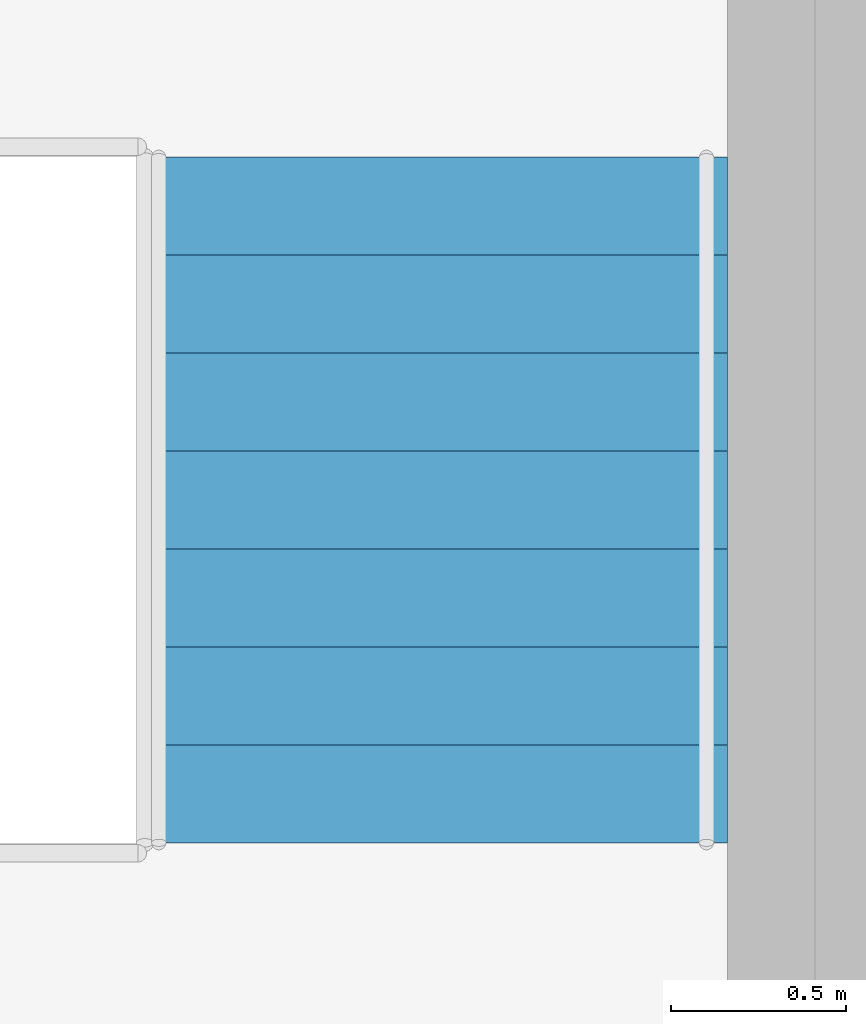
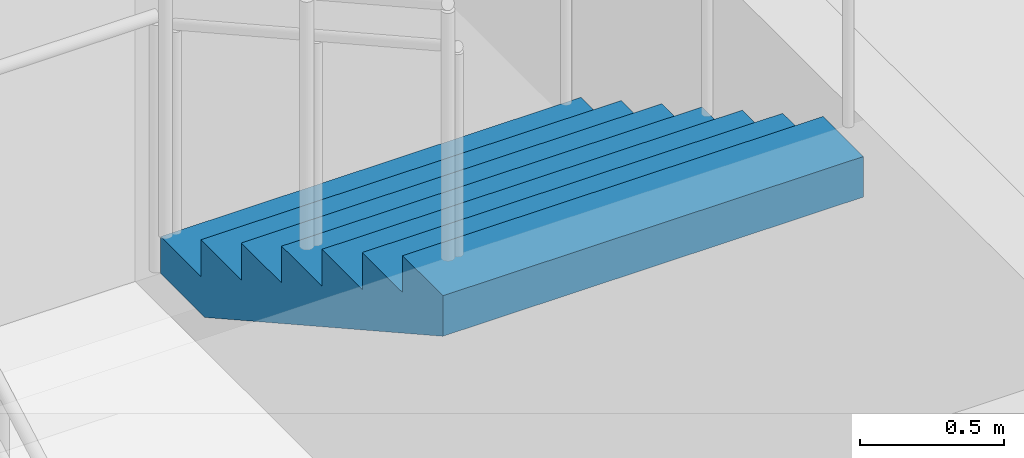
# One storey, part 31 of 37: 1 stair flight, 1 element without a shape of its own.
"""IFC4 building model written with IfcOpenShell, lengths in metres."""

from ifc_helpers import new_model, si_unit, direction, frame, origin, place, context, subcontext, project, spatial, triangles, material, type_object, element, aggregate, save


model = new_model("IFC4")

# Units and contexts
model_context = context("Model", 3, precision=1e-05, world=origin(), true_north=direction((0.0, 1.0)))
body_context = subcontext(model_context, "Body", "Model", "MODEL_VIEW")
ifc_project = project(units=[si_unit("LENGTHUNIT", "METRE"), si_unit("AREAUNIT", "SQUARE_METRE"), si_unit("VOLUMEUNIT", "CUBIC_METRE"), si_unit("PLANEANGLEUNIT", "RADIAN"), si_unit("MASSUNIT", "GRAM", prefix="KILO")], contexts=[model_context])

# Site, building, storey
site_placement = place(None, origin())
site = spatial("IfcSite", under=ifc_project, at=site_placement, CompositionType="ELEMENT")
building_placement = place(site_placement, origin())
building = spatial("IfcBuilding", under=site, at=building_placement, Name="Orbita Commons", CompositionType="ELEMENT")
storey_placement = place(building_placement, frame((0.0, 0.0, 6.0)))
storey = spatial("IfcBuildingStorey", under=building, at=storey_placement, Name="L01", CompositionType="ELEMENT", Elevation=6.0)

# Stair, stair flight
ifc_material_1 = material(Name="Precast concrete C40/50", Category="concrete")
stair_type = type_object("IfcStairType", Name="Podium exit stair 4 flights 8 risers 156", PredefinedType="HALF_TURN_STAIR", material=ifc_material_1)
stair_placement = place(storey_placement, origin())
stair = element("IfcStair", 1, at=stair_placement, inside=storey, type_object=stair_type, Name="Podium exit stair PS1 L01", PredefinedType="HALF_TURN_STAIR")
ifc_material_2 = material(Name="Precast concrete C40/50", Category="concrete")
stair_flight_type = type_object("IfcStairFlightType", Name="Podium stair flight 8 risers 156 x 1685", PredefinedType="STRAIGHT", material=ifc_material_2)
stair_flight_placement = place(storey_placement, frame((10.4326171875, 31.780029296875, 3.75), z_axis=(0.0, 0.0, 1.0), x_axis=(0.0, -1.0, 0.0)))
stair_flight = element("IfcStairFlight", 2, at=stair_flight_placement, type_object=stair_flight_type, Name="PS1 flight 4", NumberOfRisers=8, NumberOfTreads=7, PredefinedType="STRAIGHT", RiserHeight=0.15625, TreadLength=0.28, context=body_context, shape_type="Tessellation", body=[
    triangles([(0.0, 0.842529, 0.0), (0.0, 0.842529, 0.019531), (0.0, 0.702108, 0.019531), (0.0, 0.702108, 0.0), (0.0, 0.561686, 0.019531), (0.0, 0.561686, 0.0), (0.0, 0.421265, 0.019531), (0.0, 0.421265, 0.0), (0.0, 0.280843, 0.019531), (0.0, 0.280843, 0.0), (0.0, 0.140422, 0.019531), (0.0, 0.140422, 0.0), (0.0, 0.0, 0.019531), (0.0, 0.0, 0.0), (0.0, -0.140422, 0.019531), (0.0, -0.140422, 0.0), (0.0, -0.280843, 0.019531), (0.0, -0.280843, 0.0), (0.0, -0.421265, 0.019531), (0.0, -0.421265, 0.0), (0.0, -0.561686, 0.019531), (0.0, -0.561686, 0.0), (0.0, -0.702108, 0.019531), (0.0, -0.702108, 0.0), (0.0, -0.842529, 0.019531), (0.0, -0.842529, 0.0), (0.0, 0.842529, 0.039062), (0.0, 0.702108, 0.039062), (0.0, 0.561686, 0.039062), (0.0, 0.421265, 0.039062), (0.0, 0.280843, 0.039062), (0.0, 0.140422, 0.039062), (0.0, 0.0, 0.039062), (0.0, -0.140422, 0.039062), (0.0, -0.280843, 0.039062), (0.0, -0.421265, 0.039062), (0.0, -0.561686, 0.039062), (0.0, -0.702108, 0.039062), (0.0, -0.842529, 0.039062), (0.0, 0.842529, 0.058594), (0.0, 0.702108, 0.058594), (0.0, 0.561686, 0.058594), (0.0, 0.421265, 0.058594), (0.0, 0.280843, 0.058594), (0.0, 0.140422, 0.058594), (0.0, 0.0, 0.058594), (0.0, -0.140422, 0.058594), (0.0, -0.280843, 0.058594), (0.0, -0.421265, 0.058594), (0.0, -0.561686, 0.058594), (0.0, -0.702108, 0.058594), (0.0, -0.842529, 0.058594), (0.0, 0.842529, 0.078125), (0.0, 0.702108, 0.078125), (0.0, 0.561686, 0.078125), (0.0, 0.421265, 0.078125), (0.0, 0.280843, 0.078125), (0.0, 0.140422, 0.078125), (0.0, 0.0, 0.078125), (0.0, -0.140422, 0.078125), (0.0, -0.280843, 0.078125), (0.0, -0.421265, 0.078125), (0.0, -0.561686, 0.078125), (0.0, -0.702108, 0.078125), (0.0, -0.842529, 0.078125), (0.0, 0.842529, 0.097656), (0.0, 0.702108, 0.097656), (0.0, 0.561686, 0.097656), (0.0, 0.421265, 0.097656), (0.0, 0.280843, 0.097656), (0.0, 0.140422, 0.097656), (0.0, 0.0, 0.097656), (0.0, -0.140422, 0.097656), (0.0, -0.280843, 0.097656), (0.0, -0.421265, 0.097656), (0.0, -0.561686, 0.097656), (0.0, -0.702108, 0.097656), (0.0, -0.842529, 0.097656), (0.0, 0.842529, 0.117188), (0.0, 0.702108, 0.117188), (0.0, 0.561686, 0.117188), (0.0, 0.421265, 0.117188), (0.0, 0.280843, 0.117188), (0.0, 0.140422, 0.117188), (0.0, 0.0, 0.117188), (0.0, -0.140422, 0.117188), (0.0, -0.280843, 0.117188), (0.0, -0.421265, 0.117188), (0.0, -0.561686, 0.117188), (0.0, -0.702108, 0.117188), (0.0, -0.842529, 0.117188), (0.0, 0.842529, 0.136719), (0.0, 0.702108, 0.136719), (0.0, 0.561686, 0.136719), (0.0, 0.421265, 0.136719), (0.0, 0.280843, 0.136719), (0.0, 0.140422, 0.136719), (0.0, 0.0, 0.136719), (0.0, -0.140422, 0.136719), (0.0, -0.280843, 0.136719), (0.0, -0.421265, 0.136719), (0.0, -0.561686, 0.136719), (0.0, -0.702108, 0.136719), (0.0, -0.842529, 0.136719), (0.0, 0.842529, 0.15625), (0.0, 0.702108, 0.15625), (0.0, 0.561686, 0.15625), (0.0, 0.421265, 0.15625), (0.0, 0.280843, 0.15625), (0.0, 0.140422, 0.15625), (0.0, 0.0, 0.15625), (0.0, -0.140422, 0.15625), (0.0, -0.280843, 0.15625), (0.0, -0.421265, 0.15625), (0.0, -0.561686, 0.15625), (0.0, -0.702108, 0.15625), (0.0, -0.842529, 0.15625), (0.28, 0.842529, 0.15625), (0.28, 0.702108, 0.15625), (0.28, 0.561686, 0.15625), (0.28, 0.421265, 0.15625), (0.28, 0.280843, 0.15625), (0.28, 0.140422, 0.15625), (0.28, 0.0, 0.15625), (0.28, -0.140422, 0.15625), (0.28, -0.280843, 0.15625), (0.28, -0.421265, 0.15625), (0.28, -0.561686, 0.15625), (0.28, -0.702108, 0.15625), (0.28, -0.842529, 0.15625), (0.28, 0.842529, 0.3125), (0.28, 0.702108, 0.3125), (0.28, 0.561686, 0.3125), (0.28, 0.421265, 0.3125), (0.28, 0.280843, 0.3125), (0.28, 0.140422, 0.3125), (0.28, 0.0, 0.3125), (0.28, -0.140422, 0.3125), (0.28, -0.280843, 0.3125), (0.28, -0.421265, 0.3125), (0.28, -0.561686, 0.3125), (0.28, -0.702108, 0.3125), (0.28, -0.842529, 0.3125), (0.56, 0.842529, 0.3125), (0.56, 0.702108, 0.3125), (0.56, 0.561686, 0.3125), (0.56, 0.421265, 0.3125), (0.56, 0.280843, 0.3125), (0.56, 0.140422, 0.3125), (0.56, 0.0, 0.3125), (0.56, -0.140422, 0.3125), (0.56, -0.280843, 0.3125), (0.56, -0.421265, 0.3125), (0.56, -0.561686, 0.3125), (0.56, -0.702108, 0.3125), (0.56, -0.842529, 0.3125), (0.56, 0.842529, 0.46875), (0.56, 0.702108, 0.46875), (0.56, 0.561686, 0.46875), (0.56, 0.421265, 0.46875), (0.56, 0.280843, 0.46875), (0.56, 0.140422, 0.46875), (0.56, 0.0, 0.46875), (0.56, -0.140422, 0.46875), (0.56, -0.280843, 0.46875), (0.56, -0.421265, 0.46875), (0.56, -0.561686, 0.46875), (0.56, -0.702108, 0.46875), (0.56, -0.842529, 0.46875), (0.84, 0.842529, 0.46875), (0.84, 0.702108, 0.46875), (0.84, 0.561686, 0.46875), (0.84, 0.421265, 0.46875), (0.84, 0.280843, 0.46875), (0.84, 0.140422, 0.46875), (0.84, 0.0, 0.46875), (0.84, -0.140422, 0.46875), (0.84, -0.280843, 0.46875), (0.84, -0.421265, 0.46875), (0.84, -0.561686, 0.46875), (0.84, -0.702108, 0.46875), (0.84, -0.842529, 0.46875), (0.84, 0.842529, 0.625), (0.84, 0.702108, 0.625), (0.84, 0.561686, 0.625), (0.84, 0.421265, 0.625), (0.84, 0.280843, 0.625), (0.84, 0.140422, 0.625), (0.84, 0.0, 0.625), (0.84, -0.140422, 0.625), (0.84, -0.280843, 0.625), (0.84, -0.421265, 0.625), (0.84, -0.561686, 0.625), (0.84, -0.702108, 0.625), (0.84, -0.842529, 0.625), (1.12, 0.842529, 0.625), (1.12, 0.702108, 0.625), (1.12, 0.561686, 0.625), (1.12, 0.421265, 0.625), (1.12, 0.280843, 0.625), (1.12, 0.140422, 0.625), (1.12, 0.0, 0.625), (1.12, -0.140422, 0.625), (1.12, -0.280843, 0.625), (1.12, -0.421265, 0.625), (1.12, -0.561686, 0.625), (1.12, -0.702108, 0.625), (1.12, -0.842529, 0.625), (1.12, 0.842529, 0.78125), (1.12, 0.702108, 0.78125), (1.12, 0.561686, 0.78125), (1.12, 0.421265, 0.78125), (1.12, 0.280843, 0.78125), (1.12, 0.140422, 0.78125), (1.12, 0.0, 0.78125), (1.12, -0.140422, 0.78125), (1.12, -0.280843, 0.78125), (1.12, -0.421265, 0.78125), (1.12, -0.561686, 0.78125), (1.12, -0.702108, 0.78125), (1.12, -0.842529, 0.78125), (1.4, 0.842529, 0.78125), (1.4, 0.702108, 0.78125), (1.4, 0.561686, 0.78125), (1.4, 0.421265, 0.78125), (1.4, 0.280843, 0.78125), (1.4, 0.140422, 0.78125), (1.4, 0.0, 0.78125), (1.4, -0.140422, 0.78125), (1.4, -0.280843, 0.78125), (1.4, -0.421265, 0.78125), (1.4, -0.561686, 0.78125), (1.4, -0.702108, 0.78125), (1.4, -0.842529, 0.78125), (1.4, 0.842529, 0.9375), (1.4, 0.702108, 0.9375), (1.4, 0.561686, 0.9375), (1.4, 0.421265, 0.9375), (1.4, 0.280843, 0.9375), (1.4, 0.140422, 0.9375), (1.4, 0.0, 0.9375), (1.4, -0.140422, 0.9375), (1.4, -0.280843, 0.9375), (1.4, -0.421265, 0.9375), (1.4, -0.561686, 0.9375), (1.4, -0.702108, 0.9375), (1.4, -0.842529, 0.9375), (1.68, 0.842529, 0.9375), (1.68, 0.702108, 0.9375), (1.68, 0.561686, 0.9375), (1.68, 0.421265, 0.9375), (1.68, 0.280843, 0.9375), (1.68, 0.140422, 0.9375), (1.68, 0.0, 0.9375), (1.68, -0.140422, 0.9375), (1.68, -0.280843, 0.9375), (1.68, -0.421265, 0.9375), (1.68, -0.561686, 0.9375), (1.68, -0.702108, 0.9375), (1.68, -0.842529, 0.9375), (1.68, 0.842529, 1.09375), (1.68, 0.702108, 1.09375), (1.68, 0.561686, 1.09375), (1.68, 0.421265, 1.09375), (1.68, 0.280843, 1.09375), (1.68, 0.140422, 1.09375), (1.68, 0.0, 1.09375), (1.68, -0.140422, 1.09375), (1.68, -0.280843, 1.09375), (1.68, -0.421265, 1.09375), (1.68, -0.561686, 1.09375), (1.68, -0.702108, 1.09375), (1.68, -0.842529, 1.09375), (1.96, 0.842529, 1.09375), (1.96, 0.702108, 1.09375), (1.96, 0.561686, 1.09375), (1.96, 0.421265, 1.09375), (1.96, 0.280843, 1.09375), (1.96, 0.140422, 1.09375), (1.96, 0.0, 1.09375), (1.96, -0.140422, 1.09375), (1.96, -0.280843, 1.09375), (1.96, -0.421265, 1.09375), (1.96, -0.561686, 1.09375), (1.96, -0.702108, 1.09375), (1.96, -0.842529, 1.09375), (1.96, 0.842529, 1.072292), (1.96, 0.702108, 1.072292), (1.96, 0.561686, 1.072292), (1.96, 0.421265, 1.072292), (1.96, 0.280843, 1.072292), (1.96, 0.140422, 1.072292), (1.96, 0.0, 1.072292), (1.96, -0.140422, 1.072292), (1.96, -0.280843, 1.072292), (1.96, -0.421265, 1.072292), (1.96, -0.561686, 1.072292), (1.96, -0.702108, 1.072292), (1.96, -0.842529, 1.072292), (1.96, 0.842529, 1.050834), (1.96, 0.702108, 1.050834), (1.96, 0.561686, 1.050834), (1.96, 0.421265, 1.050834), (1.96, 0.280843, 1.050834), (1.96, 0.140422, 1.050834), (1.96, 0.0, 1.050834), (1.96, -0.140422, 1.050834), (1.96, -0.280843, 1.050834), (1.96, -0.421265, 1.050834), (1.96, -0.561686, 1.050834), (1.96, -0.702108, 1.050834), (1.96, -0.842529, 1.050834), (1.96, 0.842529, 1.029376), (1.96, 0.702108, 1.029376), (1.96, 0.561686, 1.029376), (1.96, 0.421265, 1.029376), (1.96, 0.280843, 1.029376), (1.96, 0.140422, 1.029376), (1.96, 0.0, 1.029376), (1.96, -0.140422, 1.029376), (1.96, -0.280843, 1.029376), (1.96, -0.421265, 1.029376), (1.96, -0.561686, 1.029376), (1.96, -0.702108, 1.029376), (1.96, -0.842529, 1.029376), (1.96, 0.842529, 1.007919), (1.96, 0.702108, 1.007919), (1.96, 0.561686, 1.007919), (1.96, 0.421265, 1.007919), (1.96, 0.280843, 1.007919), (1.96, 0.140422, 1.007919), (1.96, 0.0, 1.007919), (1.96, -0.140422, 1.007919), (1.96, -0.280843, 1.007919), (1.96, -0.421265, 1.007919), (1.96, -0.561686, 1.007919), (1.96, -0.702108, 1.007919), (1.96, -0.842529, 1.007919), (1.96, 0.842529, 0.986461), (1.96, 0.702108, 0.986461), (1.96, 0.561686, 0.986461), (1.96, 0.421265, 0.986461), (1.96, 0.280843, 0.986461), (1.96, 0.140422, 0.986461), (1.96, 0.0, 0.986461), (1.96, -0.140422, 0.986461), (1.96, -0.280843, 0.986461), (1.96, -0.421265, 0.986461), (1.96, -0.561686, 0.986461), (1.96, -0.702108, 0.986461), (1.96, -0.842529, 0.986461), (1.96, 0.842529, 0.965003), (1.96, 0.702108, 0.965003), (1.96, 0.561686, 0.965003), (1.96, 0.421265, 0.965003), (1.96, 0.280843, 0.965003), (1.96, 0.140422, 0.965003), (1.96, 0.0, 0.965003), (1.96, -0.140422, 0.965003), (1.96, -0.280843, 0.965003), (1.96, -0.421265, 0.965003), (1.96, -0.561686, 0.965003), (1.96, -0.702108, 0.965003), (1.96, -0.842529, 0.965003), (1.96, 0.842529, 0.943545), (1.96, 0.702108, 0.943545), (1.96, 0.561686, 0.943545), (1.96, 0.421265, 0.943545), (1.96, 0.280843, 0.943545), (1.96, 0.140422, 0.943545), (1.96, 0.0, 0.943545), (1.96, -0.140422, 0.943545), (1.96, -0.280843, 0.943545), (1.96, -0.421265, 0.943545), (1.96, -0.561686, 0.943545), (1.96, -0.702108, 0.943545), (1.96, -0.842529, 0.943545), (1.96, 0.842529, 0.922087), (1.96, 0.702108, 0.922087), (1.96, 0.561686, 0.922087), (1.96, 0.421265, 0.922087), (1.96, 0.280843, 0.922087), (1.96, 0.140422, 0.922087), (1.96, 0.0, 0.922087), (1.96, -0.140422, 0.922087), (1.96, -0.280843, 0.922087), (1.96, -0.421265, 0.922087), (1.96, -0.561686, 0.922087), (1.96, -0.702108, 0.922087), (1.96, -0.842529, 0.922087), (0.30762, 0.842529, 0.0), (0.30762, 0.702108, 0.0), (0.30762, 0.561686, 0.0), (0.30762, 0.421265, 0.0), (0.30762, 0.280843, 0.0), (0.30762, 0.140422, 0.0), (0.30762, 0.0, 0.0), (0.30762, -0.140422, 0.0), (0.30762, -0.280843, 0.0), (0.30762, -0.421265, 0.0), (0.30762, -0.561686, 0.0), (0.30762, -0.702108, 0.0), (0.30762, -0.842529, 0.0)], [[3, 2, 1], [4, 3, 1], [5, 3, 4], [6, 5, 4], [7, 5, 6], [8, 7, 6], [9, 7, 8], [10, 9, 8], [11, 9, 10], [12, 11, 10], [13, 11, 12], [14, 13, 12], [15, 13, 14], [16, 15, 14], [17, 15, 16], [18, 17, 16], [19, 17, 18], [20, 19, 18], [21, 19, 20], [22, 21, 20], [23, 21, 22], [24, 23, 22], [25, 23, 24], [26, 25, 24], [28, 27, 2], [3, 28, 2], [29, 28, 3], [5, 29, 3], [30, 29, 5], [7, 30, 5], [31, 30, 7], [9, 31, 7], [32, 31, 9], [11, 32, 9], [33, 32, 11], [13, 33, 11], [34, 33, 13], [15, 34, 13], [35, 34, 15], [17, 35, 15], [36, 35, 17], [19, 36, 17], [37, 36, 19], [21, 37, 19], [38, 37, 21], [23, 38, 21], [39, 38, 23], [25, 39, 23], [41, 40, 27], [28, 41, 27], [42, 41, 28], [29, 42, 28], [43, 42, 29], [30, 43, 29], [44, 43, 30], [31, 44, 30], [45, 44, 31], [32, 45, 31], [46, 45, 32], [33, 46, 32], [47, 46, 33], [34, 47, 33], [48, 47, 34], [35, 48, 34], [49, 48, 35], [36, 49, 35], [50, 49, 36], [37, 50, 36], [51, 50, 37], [38, 51, 37], [52, 51, 38], [39, 52, 38], [54, 53, 40], [41, 54, 40], [55, 54, 41], [42, 55, 41], [56, 55, 42], [43, 56, 42], [57, 56, 43], [44, 57, 43], [58, 57, 44], [45, 58, 44], [59, 58, 45], [46, 59, 45], [60, 59, 46], [47, 60, 46], [61, 60, 47], [48, 61, 47], [62, 61, 48], [49, 62, 48], [63, 62, 49], [50, 63, 49], [64, 63, 50], [51, 64, 50], [65, 64, 51], [52, 65, 51], [67, 66, 53], [54, 67, 53], [68, 67, 54], [55, 68, 54], [69, 68, 55], [56, 69, 55], [70, 69, 56], [57, 70, 56], [71, 70, 57], [58, 71, 57], [72, 71, 58], [59, 72, 58], [73, 72, 59], [60, 73, 59], [74, 73, 60], [61, 74, 60], [75, 74, 61], [62, 75, 61], [76, 75, 62], [63, 76, 62], [77, 76, 63], [64, 77, 63], [78, 77, 64], [65, 78, 64], [80, 79, 66], [67, 80, 66], [81, 80, 67], [68, 81, 67], [82, 81, 68], [69, 82, 68], [83, 82, 69], [70, 83, 69], [84, 83, 70], [71, 84, 70], [85, 84, 71], [72, 85, 71], [86, 85, 72], [73, 86, 72], [87, 86, 73], [74, 87, 73], [88, 87, 74], [75, 88, 74], [89, 88, 75], [76, 89, 75], [90, 89, 76], [77, 90, 76], [91, 90, 77], [78, 91, 77], [93, 92, 79], [80, 93, 79], [94, 93, 80], [81, 94, 80], [95, 94, 81], [82, 95, 81], [96, 95, 82], [83, 96, 82], [97, 96, 83], [84, 97, 83], [98, 97, 84], [85, 98, 84], [99, 98, 85], [86, 99, 85], [100, 99, 86], [87, 100, 86], [101, 100, 87], [88, 101, 87], [102, 101, 88], [89, 102, 88], [103, 102, 89], [90, 103, 89], [104, 103, 90], [91, 104, 90], [106, 105, 92], [93, 106, 92], [107, 106, 93], [94, 107, 93], [108, 107, 94], [95, 108, 94], [109, 108, 95], [96, 109, 95], [110, 109, 96], [97, 110, 96], [111, 110, 97], [98, 111, 97], [112, 111, 98], [99, 112, 98], [113, 112, 99], [100, 113, 99], [114, 113, 100], [101, 114, 100], [115, 114, 101], [102, 115, 101], [116, 115, 102], [103, 116, 102], [117, 116, 103], [104, 117, 103], [119, 118, 105], [106, 119, 105], [120, 119, 106], [107, 120, 106], [121, 120, 107], [108, 121, 107], [122, 121, 108], [109, 122, 108], [123, 122, 109], [110, 123, 109], [124, 123, 110], [111, 124, 110], [125, 124, 111], [112, 125, 111], [126, 125, 112], [113, 126, 112], [127, 126, 113], [114, 127, 113], [128, 127, 114], [115, 128, 114], [129, 128, 115], [116, 129, 115], [130, 129, 116], [117, 130, 116], [132, 131, 118], [119, 132, 118], [133, 132, 119], [120, 133, 119], [134, 133, 120], [121, 134, 120], [135, 134, 121], [122, 135, 121], [136, 135, 122], [123, 136, 122], [137, 136, 123], [124, 137, 123], [138, 137, 124], [125, 138, 124], [139, 138, 125], [126, 139, 125], [140, 139, 126], [127, 140, 126], [141, 140, 127], [128, 141, 127], [142, 141, 128], [129, 142, 128], [143, 142, 129], [130, 143, 129], [145, 144, 131], [132, 145, 131], [146, 145, 132], [133, 146, 132], [147, 146, 133], [134, 147, 133], [148, 147, 134], [135, 148, 134], [149, 148, 135], [136, 149, 135], [150, 149, 136], [137, 150, 136], [151, 150, 137], [138, 151, 137], [152, 151, 138], [139, 152, 138], [153, 152, 139], [140, 153, 139], [154, 153, 140], [141, 154, 140], [155, 154, 141], [142, 155, 141], [156, 155, 142], [143, 156, 142], [158, 157, 144], [145, 158, 144], [159, 158, 145], [146, 159, 145], [160, 159, 146], [147, 160, 146], [161, 160, 147], [148, 161, 147], [162, 161, 148], [149, 162, 148], [163, 162, 149], [150, 163, 149], [164, 163, 150], [151, 164, 150], [165, 164, 151], [152, 165, 151], [166, 165, 152], [153, 166, 152], [167, 166, 153], [154, 167, 153], [168, 167, 154], [155, 168, 154], [169, 168, 155], [156, 169, 155], [171, 170, 157], [158, 171, 157], [172, 171, 158], [159, 172, 158], [173, 172, 159], [160, 173, 159], [174, 173, 160], [161, 174, 160], [175, 174, 161], [162, 175, 161], [176, 175, 162], [163, 176, 162], [177, 176, 163], [164, 177, 163], [178, 177, 164], [165, 178, 164], [179, 178, 165], [166, 179, 165], [180, 179, 166], [167, 180, 166], [181, 180, 167], [168, 181, 167], [182, 181, 168], [169, 182, 168], [184, 183, 170], [171, 184, 170], [185, 184, 171], [172, 185, 171], [186, 185, 172], [173, 186, 172], [187, 186, 173], [174, 187, 173], [188, 187, 174], [175, 188, 174], [189, 188, 175], [176, 189, 175], [190, 189, 176], [177, 190, 176], [191, 190, 177], [178, 191, 177], [192, 191, 178], [179, 192, 178], [193, 192, 179], [180, 193, 179], [194, 193, 180], [181, 194, 180], [195, 194, 181], [182, 195, 181], [197, 196, 183], [184, 197, 183], [198, 197, 184], [185, 198, 184], [199, 198, 185], [186, 199, 185], [200, 199, 186], [187, 200, 186], [201, 200, 187], [188, 201, 187], [202, 201, 188], [189, 202, 188], [203, 202, 189], [190, 203, 189], [204, 203, 190], [191, 204, 190], [205, 204, 191], [192, 205, 191], [206, 205, 192], [193, 206, 192], [207, 206, 193], [194, 207, 193], [208, 207, 194], [195, 208, 194], [210, 209, 196], [197, 210, 196], [211, 210, 197], [198, 211, 197], [212, 211, 198], [199, 212, 198], [213, 212, 199], [200, 213, 199], [214, 213, 200], [201, 214, 200], [215, 214, 201], [202, 215, 201], [216, 215, 202], [203, 216, 202], [217, 216, 203], [204, 217, 203], [218, 217, 204], [205, 218, 204], [219, 218, 205], [206, 219, 205], [220, 219, 206], [207, 220, 206], [221, 220, 207], [208, 221, 207], [223, 222, 209], [210, 223, 209], [224, 223, 210], [211, 224, 210], [225, 224, 211], [212, 225, 211], [226, 225, 212], [213, 226, 212], [227, 226, 213], [214, 227, 213], [228, 227, 214], [215, 228, 214], [229, 228, 215], [216, 229, 215], [230, 229, 216], [217, 230, 216], [231, 230, 217], [218, 231, 217], [232, 231, 218], [219, 232, 218], [233, 232, 219], [220, 233, 219], [234, 233, 220], [221, 234, 220], [236, 235, 222], [223, 236, 222], [237, 236, 223], [224, 237, 223], [238, 237, 224], [225, 238, 224], [239, 238, 225], [226, 239, 225], [240, 239, 226], [227, 240, 226], [241, 240, 227], [228, 241, 227], [242, 241, 228], [229, 242, 228], [243, 242, 229], [230, 243, 229], [244, 243, 230], [231, 244, 230], [245, 244, 231], [232, 245, 231], [246, 245, 232], [233, 246, 232], [247, 246, 233], [234, 247, 233], [249, 248, 235], [236, 249, 235], [250, 249, 236], [237, 250, 236], [251, 250, 237], [238, 251, 237], [252, 251, 238], [239, 252, 238], [253, 252, 239], [240, 253, 239], [254, 253, 240], [241, 254, 240], [255, 254, 241], [242, 255, 241], [256, 255, 242], [243, 256, 242], [257, 256, 243], [244, 257, 243], [258, 257, 244], [245, 258, 244], [259, 258, 245], [246, 259, 245], [260, 259, 246], [247, 260, 246], [262, 261, 248], [249, 262, 248], [263, 262, 249], [250, 263, 249], [264, 263, 250], [251, 264, 250], [265, 264, 251], [252, 265, 251], [266, 265, 252], [253, 266, 252], [267, 266, 253], [254, 267, 253], [268, 267, 254], [255, 268, 254], [269, 268, 255], [256, 269, 255], [270, 269, 256], [257, 270, 256], [271, 270, 257], [258, 271, 257], [272, 271, 258], [259, 272, 258], [273, 272, 259], [260, 273, 259], [275, 274, 261], [262, 275, 261], [276, 275, 262], [263, 276, 262], [277, 276, 263], [264, 277, 263], [278, 277, 264], [265, 278, 264], [279, 278, 265], [266, 279, 265], [280, 279, 266], [267, 280, 266], [281, 280, 267], [268, 281, 267], [282, 281, 268], [269, 282, 268], [283, 282, 269], [270, 283, 269], [284, 283, 270], [271, 284, 270], [285, 284, 271], [272, 285, 271], [286, 285, 272], [273, 286, 272], [288, 287, 274], [275, 288, 274], [289, 288, 275], [276, 289, 275], [290, 289, 276], [277, 290, 276], [291, 290, 277], [278, 291, 277], [292, 291, 278], [279, 292, 278], [293, 292, 279], [280, 293, 279], [294, 293, 280], [281, 294, 280], [295, 294, 281], [282, 295, 281], [296, 295, 282], [283, 296, 282], [297, 296, 283], [284, 297, 283], [298, 297, 284], [285, 298, 284], [299, 298, 285], [286, 299, 285], [301, 300, 287], [288, 301, 287], [302, 301, 288], [289, 302, 288], [303, 302, 289], [290, 303, 289], [304, 303, 290], [291, 304, 290], [305, 304, 291], [292, 305, 291], [306, 305, 292], [293, 306, 292], [307, 306, 293], [294, 307, 293], [308, 307, 294], [295, 308, 294], [309, 308, 295], [296, 309, 295], [310, 309, 296], [297, 310, 296], [311, 310, 297], [298, 311, 297], [312, 311, 298], [299, 312, 298], [314, 313, 300], [301, 314, 300], [315, 314, 301], [302, 315, 301], [316, 315, 302], [303, 316, 302], [317, 316, 303], [304, 317, 303], [318, 317, 304], [305, 318, 304], [319, 318, 305], [306, 319, 305], [320, 319, 306], [307, 320, 306], [321, 320, 307], [308, 321, 307], [322, 321, 308], [309, 322, 308], [323, 322, 309], [310, 323, 309], [324, 323, 310], [311, 324, 310], [325, 324, 311], [312, 325, 311], [327, 326, 313], [314, 327, 313], [328, 327, 314], [315, 328, 314], [329, 328, 315], [316, 329, 315], [330, 329, 316], [317, 330, 316], [331, 330, 317], [318, 331, 317], [332, 331, 318], [319, 332, 318], [333, 332, 319], [320, 333, 319], [334, 333, 320], [321, 334, 320], [335, 334, 321], [322, 335, 321], [336, 335, 322], [323, 336, 322], [337, 336, 323], [324, 337, 323], [338, 337, 324], [325, 338, 324], [340, 339, 326], [327, 340, 326], [341, 340, 327], [328, 341, 327], [342, 341, 328], [329, 342, 328], [343, 342, 329], [330, 343, 329], [344, 343, 330], [331, 344, 330], [345, 344, 331], [332, 345, 331], [346, 345, 332], [333, 346, 332], [347, 346, 333], [334, 347, 333], [348, 347, 334], [335, 348, 334], [349, 348, 335], [336, 349, 335], [350, 349, 336], [337, 350, 336], [351, 350, 337], [338, 351, 337], [353, 352, 339], [340, 353, 339], [354, 353, 340], [341, 354, 340], [355, 354, 341], [342, 355, 341], [356, 355, 342], [343, 356, 342], [357, 356, 343], [344, 357, 343], [358, 357, 344], [345, 358, 344], [359, 358, 345], [346, 359, 345], [360, 359, 346], [347, 360, 346], [361, 360, 347], [348, 361, 347], [362, 361, 348], [349, 362, 348], [363, 362, 349], [350, 363, 349], [364, 363, 350], [351, 364, 350], [366, 365, 352], [353, 366, 352], [367, 366, 353], [354, 367, 353], [368, 367, 354], [355, 368, 354], [369, 368, 355], [356, 369, 355], [370, 369, 356], [357, 370, 356], [371, 370, 357], [358, 371, 357], [372, 371, 358], [359, 372, 358], [373, 372, 359], [360, 373, 359], [374, 373, 360], [361, 374, 360], [375, 374, 361], [362, 375, 361], [376, 375, 362], [363, 376, 362], [377, 376, 363], [364, 377, 363], [379, 378, 365], [366, 379, 365], [380, 379, 366], [367, 380, 366], [381, 380, 367], [368, 381, 367], [382, 381, 368], [369, 382, 368], [383, 382, 369], [370, 383, 369], [384, 383, 370], [371, 384, 370], [385, 384, 371], [372, 385, 371], [386, 385, 372], [373, 386, 372], [387, 386, 373], [374, 387, 373], [388, 387, 374], [375, 388, 374], [389, 388, 375], [376, 389, 375], [390, 389, 376], [377, 390, 376], [392, 391, 378], [379, 392, 378], [393, 392, 379], [380, 393, 379], [394, 393, 380], [381, 394, 380], [395, 394, 381], [382, 395, 381], [396, 395, 382], [383, 396, 382], [397, 396, 383], [384, 397, 383], [398, 397, 384], [385, 398, 384], [399, 398, 385], [386, 399, 385], [400, 399, 386], [387, 400, 386], [401, 400, 387], [388, 401, 387], [402, 401, 388], [389, 402, 388], [403, 402, 389], [390, 403, 389], [4, 1, 391], [392, 4, 391], [6, 4, 392], [393, 6, 392], [8, 6, 393], [394, 8, 393], [10, 8, 394], [395, 10, 394], [12, 10, 395], [396, 12, 395], [14, 12, 396], [397, 14, 396], [16, 14, 397], [398, 16, 397], [18, 16, 398], [399, 18, 398], [20, 18, 399], [400, 20, 399], [22, 20, 400], [401, 22, 400], [24, 22, 401], [402, 24, 401], [26, 24, 402], [403, 26, 402], [378, 391, 1], [26, 403, 390], [365, 378, 1], [26, 390, 377], [352, 365, 1], [26, 377, 364], [339, 352, 1], [26, 364, 351], [326, 339, 1], [26, 351, 338], [313, 326, 1], [26, 338, 325], [300, 313, 1], [26, 325, 312], [287, 300, 1], [26, 312, 299], [261, 274, 287], [299, 286, 273], [248, 261, 287], [299, 273, 260], [222, 235, 248], [260, 247, 234], [222, 248, 287], [299, 260, 234], [196, 209, 222], [234, 221, 208], [196, 222, 287], [299, 234, 208], [170, 183, 196], [208, 195, 182], [170, 196, 287], [299, 208, 182], [144, 157, 170], [182, 169, 156], [144, 170, 287], [299, 182, 156], [118, 131, 144], [156, 143, 130], [118, 144, 287], [299, 156, 130], [118, 287, 1], [26, 299, 130], [92, 105, 118], [130, 117, 104], [79, 92, 118], [130, 104, 91], [66, 79, 118], [130, 91, 78], [53, 66, 118], [130, 78, 65], [40, 53, 118], [130, 65, 52], [27, 40, 118], [130, 52, 39], [2, 27, 118], [130, 39, 25], [1, 2, 118], [130, 25, 26]], closed=True),
])
aggregate(stair, [stair_flight])

save(model, "model.ifc")
